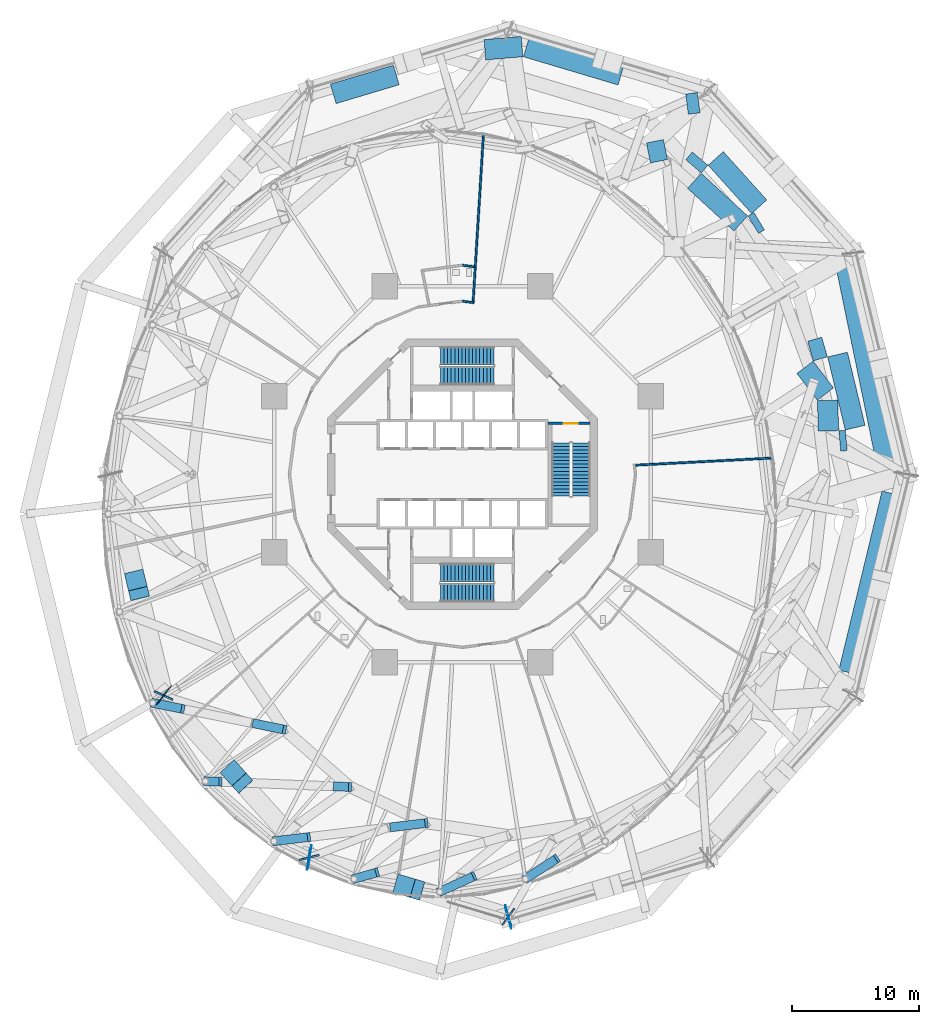
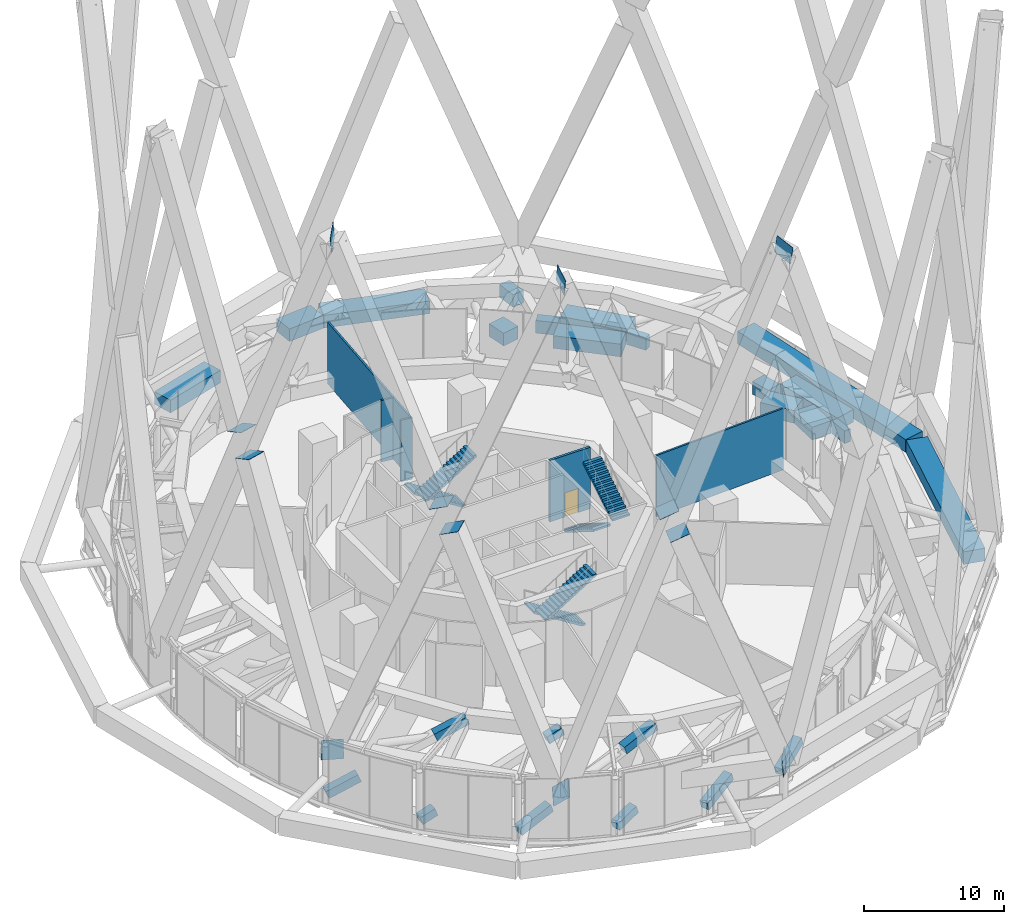
# One storey, part 40 of 49: 22 walls, 21 discrete accessories, 6 stair flights, 1 door, 1 opening, 3 elements without a shape of their own.
"""IFC4 building model written with IfcOpenShell, lengths in metres."""

from ifc_helpers import new_model, si_unit, direction, frame, frame_2d, origin, origin_2d, place, context, subcontext, project, spatial, polyline, rectangle, outline, extrude, material, layer, layer_set, type_object, element, fill, aggregate, save


model = new_model("IFC4")

# Units and contexts
model_context = context("Model", 3, precision=1e-05, world=origin(), true_north=direction((0.0, 1.0)))
body_context = subcontext(model_context, "Body", "Model", "MODEL_VIEW")
ifc_project = project(units=[si_unit("LENGTHUNIT", "METRE"), si_unit("AREAUNIT", "SQUARE_METRE"), si_unit("VOLUMEUNIT", "CUBIC_METRE"), si_unit("PLANEANGLEUNIT", "RADIAN"), si_unit("MASSUNIT", "GRAM", prefix="KILO")], contexts=[model_context])

# Site, building, storey
site_placement = place(None, origin())
site = spatial("IfcSite", under=ifc_project, at=site_placement, CompositionType="ELEMENT")
building_placement = place(site_placement, origin())
building = spatial("IfcBuilding", under=site, at=building_placement, Name="Nagisa Residences", CompositionType="ELEMENT")
storey_placement = place(building_placement, frame((0.0, 0.0, 160.300048828125)))
storey = spatial("IfcBuildingStorey", under=building, at=storey_placement, Name="L40", CompositionType="ELEMENT", Elevation=160.300048828125)

# Walls
ifc_material_1 = material(Name="Precast concrete C30/37", Category="concrete")
ifc_layer_1 = layer(ifc_material_1, 1.60009765625)
ifc_layer_set_1 = layer_set([ifc_layer_1], Name="PLANTER")
wall_type_1 = type_object("IfcWallType", Name="PLANTER", PredefinedType="SOLIDWALL", material=ifc_layer_set_1)
wall_1_placement = place(storey_placement, frame((-10.156494140625, 29.893798828125, 0.0), z_axis=(0.0, 0.0, 1.0), x_axis=(0.958362857048, 0.285553207357, 0.0)))
element("IfcWall", 1, at=wall_1_placement, inside=storey, type_object=wall_type_1, Name="planter:L40:deck001", PredefinedType="SOLIDWALL", context=body_context, shape_type="SweptSolid", body=[
    extrude(rectangle(XDim=5.168212890625, YDim=1.60009765625, at=frame_2d((2.583984375, 0.0))), origin(), (0.0, 0.0, 1.0), 1.099853515625),
])
wall_2_placement = place(storey_placement, frame((1.760498046875, 33.357177734375, 0.0), z_axis=(0.0, 0.0, 1.0), x_axis=(0.996429373532, 0.084430465845, 0.0)))
element("IfcWall", 2, at=wall_2_placement, inside=storey, type_object=wall_type_1, Name="planter:L40:deck003", PredefinedType="SOLIDWALL", context=body_context, shape_type="SweptSolid", body=[
    extrude(rectangle(XDim=2.93212890625, YDim=1.60009765625, at=frame_2d((1.466064453125, 0.0))), origin(), (0.0, 0.0, 1.0), 1.099853515625),
])
wall_3_placement = place(storey_placement, frame((5.01708984375, 33.5703125, 0.0), z_axis=(0.0, 0.0, 1.0), x_axis=(0.958369377586, -0.285531322459, 0.0)))
element("IfcWall", 3, at=wall_3_placement, inside=storey, type_object=wall_type_1, Name="planter:L40:deck004", PredefinedType="SOLIDWALL", context=body_context, shape_type="SweptSolid", body=[
    extrude(rectangle(XDim=7.7578125, YDim=1.60009765625, at=frame_2d((3.87890625, 0.0))), origin(), (0.0, 0.0, 1.0), 1.099853515625),
])
wall_4_placement = place(storey_placement, frame((14.6142578125, 25.25, 0.0), z_axis=(0.0, 0.0, 1.0), x_axis=(0.980807472968, 0.194978719274, 0.0)))
element("IfcWall", 4, at=wall_4_placement, inside=storey, type_object=wall_type_1, Name="planter:L40:deck005", PredefinedType="SOLIDWALL", context=body_context, shape_type="SweptSolid", body=[
    extrude(rectangle(XDim=1.3623046875, YDim=1.60009765625, at=frame_2d((0.68115234375, 0.0))), origin(), (0.0, 0.0, 1.0), 1.099853515625),
])
wall_5_placement = place(storey_placement, frame((17.642822265625, 29.0771484375, 0.0), z_axis=(0.0, 0.0, 1.0), x_axis=(0.991501736252, 0.130093454903, 0.0)))
element("IfcWall", 5, at=wall_5_placement, inside=storey, type_object=wall_type_1, Name="planter:L40:deck006", PredefinedType="SOLIDWALL", context=body_context, shape_type="SweptSolid", body=[
    extrude(rectangle(XDim=0.927001953125, YDim=1.60009765625, at=frame_2d((0.46337890625, 0.0))), origin(), (0.0, 0.0, 1.0), 1.099853515625),
])
wall_6_placement = place(storey_placement, frame((30.10693359375, 16.551513671875, 0.0), z_axis=(0.0, 0.0, 1.0), x_axis=(0.201733864447, -0.979440374875, 0.0)))
element("IfcWall", 6, at=wall_6_placement, inside=storey, type_object=wall_type_1, Name="planter:L40:deck012", PredefinedType="SOLIDWALL", context=body_context, shape_type="SweptSolid", body=[
    extrude(rectangle(XDim=18.041748046875, YDim=1.60009765625, at=frame_2d((9.02099609375, 0.0))), origin(), (0.0, 0.0, 1.0), 1.099853515625),
])
wall_7_placement = place(storey_placement, frame((33.740234375, -1.50732421875, 0.0), z_axis=(0.0, 0.0, 1.0), x_axis=(-0.234271336435, -0.972171250822, 0.0)))
element("IfcWall", 7, at=wall_7_placement, inside=storey, type_object=wall_type_1, Name="planter:L40:deck014", PredefinedType="SOLIDWALL", context=body_context, shape_type="SweptSolid", body=[
    extrude(rectangle(XDim=14.48046875, YDim=1.60009765625, at=frame_2d((7.240234375, 0.0))), origin(), (0.0, 0.0, 1.0), 1.099853515625),
])
wall_8_placement = place(storey_placement, frame((18.15234375, 24.195556640625, 0.0), z_axis=(0.0, 0.0, 1.0), x_axis=(0.649581622908, 0.76029186184, 0.0)))
element("IfcWall", 8, at=wall_8_placement, inside=storey, type_object=wall_type_1, Name="planter:L40:deck115", PredefinedType="SOLIDWALL", context=body_context, shape_type="SweptSolid", body=[
    extrude(rectangle(XDim=0.79833984375, YDim=1.60009765625, at=frame_2d((0.399169921875, 0.0))), origin(), (0.0, 0.0, 1.0), 1.099853515625),
])
wall_9_placement = place(storey_placement, frame((19.900146484375, 24.818115234375, 0.0), z_axis=(0.0, 0.0, 1.0), x_axis=(0.668695366774, -0.743536486297, 0.0)))
element("IfcWall", 9, at=wall_9_placement, inside=storey, type_object=wall_type_1, Name="planter:L40:deck116", PredefinedType="SOLIDWALL", context=body_context, shape_type="SweptSolid", body=[
    extrude(rectangle(XDim=5.1083984375, YDim=1.60009765625, at=frame_2d((2.55419921875, 0.0))), origin(), (0.0, 0.0, 1.0), 1.099853515625),
])
wall_10_placement = place(storey_placement, frame((21.865478515625, 19.70703125, 0.0), z_axis=(0.0, 0.0, 1.0), x_axis=(-0.736097079127, 0.676875978375, 0.0)))
element("IfcWall", 10, at=wall_10_placement, inside=storey, type_object=wall_type_1, Name="planter:L40:deck117", PredefinedType="SOLIDWALL", context=body_context, shape_type="SweptSolid", body=[
    extrude(rectangle(XDim=4.951171875, YDim=1.60009765625, at=frame_2d((2.4755859375, 0.0))), origin(), (0.0, 0.0, 1.0), 1.099853515625),
])
wall_11_placement = place(storey_placement, frame((23.3154296875, 19.88525390625, 0.0), z_axis=(0.0, 0.0, 1.0), x_axis=(-0.857730952834, -0.51409883539, 0.0)))
element("IfcWall", 11, at=wall_11_placement, inside=storey, type_object=wall_type_1, Name="planter:L40:deck118", PredefinedType="SOLIDWALL", context=body_context, shape_type="SweptSolid", body=[
    extrude(rectangle(XDim=0.542724609375, YDim=1.60009765625, at=frame_2d((0.271484375, 0.0))), origin(), (0.0, 0.0, 1.0), 1.099853515625),
])
wall_12_placement = place(storey_placement, frame((27.341796875, 9.6796875, 0.0), z_axis=(0.0, 0.0, 1.0), x_axis=(0.96091364535, 0.27684827285, 0.0)))
element("IfcWall", 12, at=wall_12_placement, inside=storey, type_object=wall_type_1, Name="planter:L40:deck119", PredefinedType="SOLIDWALL", context=body_context, shape_type="SweptSolid", body=[
    extrude(rectangle(XDim=1.151611328125, YDim=1.60009765625, at=frame_2d((0.57568359375, 0.0))), origin(), (0.0, 0.0, 1.0), 1.099853515625),
])
wall_13_placement = place(storey_placement, frame((28.517578125, 6.3017578125, 0.0), z_axis=(0.0, 0.0, 1.0), x_axis=(-0.604970801931, 0.796247655451, 0.0)))
element("IfcWall", 13, at=wall_13_placement, inside=storey, type_object=wall_type_1, Name="planter:L40:deck120", PredefinedType="SOLIDWALL", context=body_context, shape_type="SweptSolid", body=[
    extrude(rectangle(XDim=2.64208984375, YDim=1.60009765625, at=frame_2d((1.321044921875, 0.0))), origin(), (0.0, 0.0, 1.0), 1.099853515625),
])
wall_14_placement = place(storey_placement, frame((28.7529296875, 3.40380859375, 0.0), z_axis=(0.0, 0.0, 1.0), x_axis=(-0.024936246757, 0.999689043452, 0.0)))
element("IfcWall", 14, at=wall_14_placement, inside=storey, type_object=wall_type_1, Name="planter:L40:deck121", PredefinedType="SOLIDWALL", context=body_context, shape_type="SweptSolid", body=[
    extrude(rectangle(XDim=2.398681640625, YDim=1.60009765625, at=frame_2d((1.19921875, 0.0))), origin(), (0.0, 0.0, 1.0), 1.099853515625),
])
wall_15_placement = place(storey_placement, frame((29.4716796875, 9.403564453125, 0.0), z_axis=(0.0, 0.0, 1.0), x_axis=(0.234270152893, -0.972171536028, 0.0)))
element("IfcWall", 15, at=wall_15_placement, inside=storey, type_object=wall_type_1, Name="planter:L40:deck122", PredefinedType="SOLIDWALL", context=body_context, shape_type="SweptSolid", body=[
    extrude(rectangle(XDim=5.90673828125, YDim=1.60009765625, at=frame_2d((2.953369140625, 0.0))), origin(), (0.0, 0.0, 1.0), 1.099853515625),
])
wall_16_placement = place(storey_placement, frame((30.155517578125, 2.65771484375, 0.0), z_axis=(0.0, 0.0, 1.0), x_axis=(-0.995473874791, -0.095035596533, 0.0)))
element("IfcWall", 16, at=wall_16_placement, inside=storey, type_object=wall_type_1, Name="planter:L40:deck123", PredefinedType="SOLIDWALL", context=body_context, shape_type="SweptSolid", body=[
    extrude(rectangle(XDim=0.508544921875, YDim=1.60009765625, at=frame_2d((0.25439453125, 0.0))), origin(), (0.0, 0.0, 1.0), 1.099853515625),
])
ifc_material_2 = material(Name="Gypsum board on steel studs", Category="steel")
ifc_layer_2 = layer(ifc_material_2, 0.14990234375)
ifc_layer_set_2 = layer_set([ifc_layer_2], Name="Room partition EI60 150")
wall_type_2 = type_object("IfcWallType", Name="Room partition EI60 150", PredefinedType="PARTITIONING", material=ifc_layer_set_2)
wall_17_placement = place(storey_placement, frame((0.01171875, 13.598388671875, 0.0), z_axis=(0.0, 0.0, 1.0), x_axis=(0.991462580461, -0.130391531728, 0.0)))
element("IfcWall", 17, at=wall_17_placement, inside=storey, type_object=wall_type_2, Name="wall:L40:am022", PredefinedType="PARTITIONING", context=body_context, shape_type="SweptSolid", body=[
    extrude(rectangle(XDim=0.902587890625, YDim=0.14990234375, at=frame_2d((0.451171875, 0.0))), origin(), (0.0, 0.0, 1.0), 5.33984375),
])
wall_18_placement = place(storey_placement, frame((0.01171875, 16.422607421875, 0.0), z_axis=(0.0, 0.0, 1.0), x_axis=(0.991454295543, -0.130454512571, 0.0)))
element("IfcWall", 18, at=wall_18_placement, inside=storey, type_object=wall_type_2, Name="wall:L40:am023", PredefinedType="PARTITIONING", context=body_context, shape_type="SweptSolid", body=[
    extrude(rectangle(XDim=0.92626953125, YDim=0.14990234375, at=frame_2d((0.463134765625, 0.0))), origin(), (0.0, 0.0, 1.0), 5.33984375),
])
wall_19_placement = place(storey_placement, frame((0.836669921875, 13.5654296875, 0.0), z_axis=(0.0, 0.0, 1.0), x_axis=(0.061577051156, 0.998102332815, 0.0)))
element("IfcWall", 19, at=wall_19_placement, inside=storey, type_object=wall_type_2, Name="wall:L40:am024", PredefinedType="PARTITIONING", context=body_context, shape_type="SweptSolid", body=[
    extrude(rectangle(XDim=2.731689453125, YDim=0.14990234375, at=frame_2d((1.36572265625, 0.0))), origin(), (0.0, 0.0, 1.0), 5.33984375),
])
wall_20_placement = place(storey_placement, frame((1.0048828125, 16.2919921875, 0.0), z_axis=(0.0, 0.0, 1.0), x_axis=(0.061550484882, 0.998103971443, 0.0)))
element("IfcWall", 20, at=wall_20_placement, inside=storey, type_object=wall_type_2, Name="wall:L40:am025", PredefinedType="PARTITIONING", context=body_context, shape_type="SweptSolid", body=[
    extrude(rectangle(XDim=10.44775390625, YDim=0.14990234375, at=frame_2d((5.223876953125, 0.0))), origin(), (0.0, 0.0, 1.0), 5.33984375),
])
wall_21_placement = place(storey_placement, frame((24.32763671875, 1.27490234375, 0.0), z_axis=(0.0, 0.0, 1.0), x_axis=(-0.998630336248, -0.052320660594, 0.0)))
element("IfcWall", 21, at=wall_21_placement, inside=storey, type_object=wall_type_2, Name="wall:L40:am042", PredefinedType="PARTITIONING", context=body_context, shape_type="SweptSolid", body=[
    extrude(rectangle(XDim=10.76025390625, YDim=0.14990234375, at=frame_2d((5.380126953125, 0.0))), origin(), (0.0, 0.0, 1.0), 5.33984375),
])

# Wall, opening, door
ifc_material_3 = material(Name="Concrete C60", Category="concrete")
ifc_layer_3 = layer(ifc_material_3, 0.199951171875)
ifc_layer_set_3 = layer_set([ifc_layer_3], Name="Stair enclosure wall 200")
wall_type_3 = type_object("IfcWallType", Name="Stair enclosure wall 200", PredefinedType="SOLIDWALL", material=ifc_layer_set_3)
wall_22_placement = place(storey_placement, frame((6.699951171875, 4.0, 0.0), z_axis=(0.0, 0.0, 1.0), x_axis=(1.0, 0.0, 0.0)))
wall_22 = element("IfcWall", 22, at=wall_22_placement, inside=storey, type_object=wall_type_3, Name="wall:L40:SE_n", PredefinedType="SOLIDWALL", context=body_context, shape_type="SweptSolid", body=[
    extrude(rectangle(XDim=3.32470703125, YDim=0.199951171875, at=frame_2d((1.662353515625, 0.0))), origin(), (0.0, 0.0, 1.0), 5.33984375),
])
opening_placement = place(wall_22_placement, frame((1.25, 0.0, 0.0)))
opening = element("IfcOpeningElement", 23, at=opening_placement, cuts=wall_22, Name="Opening L40-C13", PredefinedType="OPENING", context=body_context, shape_type="SweptSolid", body=[
    extrude(rectangle(XDim=1.10009765625, YDim=2.10009765625, at=frame_2d((0.550048828125, 1.050048828125))), frame((0.0, 0.10986328125, 0.0), z_axis=(0.0, -1.0, 0.0), x_axis=(1.0, 0.0, 0.0)), (0.0, 0.0, 1.0), 0.219970703125),
])
ifc_material_4 = material(Name="Steel fire door", Category="steel")
door_type = type_object("IfcDoorType", Name="Fire door EI90 1100x2100 single swing", OperationType="NOTDEFINED", PredefinedType="DOOR", material=ifc_material_4)
door_placement = place(opening_placement, frame((1.10009765625, 0.0, 0.0), x_axis=(-1.0, 0.0, 0.0)))
door = element("IfcDoor", 24, at=door_placement, inside=storey, type_object=door_type, Name="Stair door ST-E L40", OperationType="SINGLE_SWING_LEFT", OverallHeight=2.10009765625, OverallWidth=1.10009765625, PredefinedType="DOOR", context=body_context, shape_type="SweptSolid", body=[
    extrude(rectangle(XDim=1.10009765625, YDim=2.10009765625, at=frame_2d((0.550048828125, 1.050048828125))), frame((0.0, 0.02490234375, 0.0), z_axis=(0.0, -1.0, 0.0), x_axis=(1.0, 0.0, 0.0)), (0.0, 0.0, 1.0), 0.050048828125),
])
fill(opening, door)

# Stair, stair flights
ifc_material_5 = material(Name="Concrete C60", Category="concrete")
stair_type = type_object("IfcStairType", Name="Exit stair", PredefinedType="HALF_TURN_STAIR", material=ifc_material_5)
stair_1_placement = place(storey_placement, origin())
stair_1 = element("IfcStair", 25, at=stair_1_placement, inside=storey, type_object=stair_type, Name="L40 Exit stair E", PredefinedType="HALF_TURN_STAIR")
ifc_material_6 = material(Name="Concrete C60", Category="concrete")
stair_flight_type = type_object("IfcStairFlightType", Name="Exit stair flight", PredefinedType="STRAIGHT", material=ifc_material_6)
stair_flight_1_placement = place(storey_placement, frame((7.737060546875, 2.47509765625, 0.0), z_axis=(0.0, 0.0, 1.0), x_axis=(0.0, -1.0, 0.0)))
stair_flight_1 = element("IfcStairFlight", 26, at=stair_flight_1_placement, type_object=stair_flight_type, Name="ST-E flight 1", NumberOfRisers=16, NumberOfTreads=15, PredefinedType="STRAIGHT", RiserHeight=0.175, TreadLength=0.28, context=body_context, shape_type="SweptSolid", body=[
    extrude(outline(polyline([(0.0, 0.0), (0.0, 0.175048828125), (0.280029296875, 0.175048828125), (0.280029296875, 0.35009765625), (0.56005859375, 0.35009765625), (0.56005859375, 0.52490234375), (0.840087890625, 0.52490234375), (0.840087890625, 0.699951171875), (1.1201171875, 0.699951171875), (1.1201171875, 0.875), (1.39990234375, 0.875), (1.39990234375, 1.050048828125), (1.679931640625, 1.050048828125), (1.679931640625, 1.22509765625), (1.9599609375, 1.22509765625), (1.9599609375, 1.39990234375), (2.239990234375, 1.39990234375), (2.239990234375, 1.574951171875), (2.52001953125, 1.574951171875), (2.52001953125, 1.75), (2.800048828125, 1.75), (2.800048828125, 1.925048828125), (3.080078125, 1.925048828125), (3.080078125, 2.10009765625), (3.360107421875, 2.10009765625), (3.360107421875, 2.27490234375), (3.639892578125, 2.27490234375), (3.639892578125, 2.449951171875), (3.919921875, 2.449951171875), (3.919921875, 2.625), (4.199951171875, 2.625), (4.199951171875, 2.800048828125), (4.199951171875, 2.4482421875), (0.28271484375, 0.0), (0.0, 0.0)])), frame((0.0, 0.71240234375, 0.0), z_axis=(0.0, -1.0, 0.0), x_axis=(1.0, 0.0, 0.0)), (0.0, 0.0, 1.0), 1.425048828125),
])
stair_flight_2_placement = place(storey_placement, frame((9.31201171875, -1.72509765625, 2.800048828125), z_axis=(0.0, 0.0, 1.0), x_axis=(0.0, 1.0, 0.0)))
stair_flight_2 = element("IfcStairFlight", 27, at=stair_flight_2_placement, type_object=stair_flight_type, Name="ST-E flight 2", NumberOfRisers=16, NumberOfTreads=15, PredefinedType="STRAIGHT", RiserHeight=0.175, TreadLength=0.28, context=body_context, shape_type="SweptSolid", body=[
    extrude(outline(polyline([(0.0, 0.0), (0.0, 0.175048828125), (0.280029296875, 0.175048828125), (0.280029296875, 0.35009765625), (0.56005859375, 0.35009765625), (0.56005859375, 0.52490234375), (0.840087890625, 0.52490234375), (0.840087890625, 0.699951171875), (1.1201171875, 0.699951171875), (1.1201171875, 0.875), (1.39990234375, 0.875), (1.39990234375, 1.050048828125), (1.679931640625, 1.050048828125), (1.679931640625, 1.22509765625), (1.9599609375, 1.22509765625), (1.9599609375, 1.39990234375), (2.239990234375, 1.39990234375), (2.239990234375, 1.574951171875), (2.52001953125, 1.574951171875), (2.52001953125, 1.75), (2.800048828125, 1.75), (2.800048828125, 1.925048828125), (3.080078125, 1.925048828125), (3.080078125, 2.10009765625), (3.360107421875, 2.10009765625), (3.360107421875, 2.27490234375), (3.639892578125, 2.27490234375), (3.639892578125, 2.449951171875), (3.919921875, 2.449951171875), (3.919921875, 2.625), (4.199951171875, 2.625), (4.199951171875, 2.800048828125), (4.199951171875, 2.4482421875), (0.28271484375, 0.0), (0.0, 0.0)])), frame((0.0, 0.71240234375, 0.0), z_axis=(0.0, -1.0, 0.0), x_axis=(1.0, 0.0, 0.0)), (0.0, 0.0, 1.0), 1.425048828125),
])
aggregate(stair_1, [stair_flight_1, stair_flight_2])

stair_2_placement = place(storey_placement, origin())
stair_2 = element("IfcStair", 28, at=stair_2_placement, inside=storey, type_object=stair_type, Name="L40 Exit stair N", PredefinedType="HALF_TURN_STAIR")
stair_flight_3_placement = place(storey_placement, frame((2.47509765625, 9.31201171875, 0.0), z_axis=(0.0, 0.0, 1.0), x_axis=(-1.0, 0.0, 0.0)))
stair_flight_3 = element("IfcStairFlight", 29, at=stair_flight_3_placement, type_object=stair_flight_type, Name="ST-N flight 1", NumberOfRisers=16, NumberOfTreads=15, PredefinedType="STRAIGHT", RiserHeight=0.175, TreadLength=0.28, context=body_context, shape_type="SweptSolid", body=[
    extrude(outline(polyline([(0.0, 0.0), (0.0, 0.175048828125), (0.280029296875, 0.175048828125), (0.280029296875, 0.35009765625), (0.56005859375, 0.35009765625), (0.56005859375, 0.52490234375), (0.840087890625, 0.52490234375), (0.840087890625, 0.699951171875), (1.1201171875, 0.699951171875), (1.1201171875, 0.875), (1.39990234375, 0.875), (1.39990234375, 1.050048828125), (1.679931640625, 1.050048828125), (1.679931640625, 1.22509765625), (1.9599609375, 1.22509765625), (1.9599609375, 1.39990234375), (2.239990234375, 1.39990234375), (2.239990234375, 1.574951171875), (2.52001953125, 1.574951171875), (2.52001953125, 1.75), (2.800048828125, 1.75), (2.800048828125, 1.925048828125), (3.080078125, 1.925048828125), (3.080078125, 2.10009765625), (3.360107421875, 2.10009765625), (3.360107421875, 2.27490234375), (3.639892578125, 2.27490234375), (3.639892578125, 2.449951171875), (3.919921875, 2.449951171875), (3.919921875, 2.625), (4.199951171875, 2.625), (4.199951171875, 2.800048828125), (4.199951171875, 2.4482421875), (0.28271484375, 0.0), (0.0, 0.0)])), frame((0.0, 0.71240234375, 0.0), z_axis=(0.0, -1.0, 0.0), x_axis=(1.0, 0.0, 0.0)), (0.0, 0.0, 1.0), 1.425048828125),
])
stair_flight_4_placement = place(storey_placement, frame((-1.72509765625, 7.737060546875, 2.800048828125), z_axis=(0.0, 0.0, 1.0), x_axis=(1.0, 0.0, 0.0)))
stair_flight_4 = element("IfcStairFlight", 30, at=stair_flight_4_placement, type_object=stair_flight_type, Name="ST-N flight 2", NumberOfRisers=16, NumberOfTreads=15, PredefinedType="STRAIGHT", RiserHeight=0.175, TreadLength=0.28, context=body_context, shape_type="SweptSolid", body=[
    extrude(outline(polyline([(0.0, 0.0), (0.0, 0.175048828125), (0.280029296875, 0.175048828125), (0.280029296875, 0.35009765625), (0.56005859375, 0.35009765625), (0.56005859375, 0.52490234375), (0.840087890625, 0.52490234375), (0.840087890625, 0.699951171875), (1.1201171875, 0.699951171875), (1.1201171875, 0.875), (1.39990234375, 0.875), (1.39990234375, 1.050048828125), (1.679931640625, 1.050048828125), (1.679931640625, 1.22509765625), (1.9599609375, 1.22509765625), (1.9599609375, 1.39990234375), (2.239990234375, 1.39990234375), (2.239990234375, 1.574951171875), (2.52001953125, 1.574951171875), (2.52001953125, 1.75), (2.800048828125, 1.75), (2.800048828125, 1.925048828125), (3.080078125, 1.925048828125), (3.080078125, 2.10009765625), (3.360107421875, 2.10009765625), (3.360107421875, 2.27490234375), (3.639892578125, 2.27490234375), (3.639892578125, 2.449951171875), (3.919921875, 2.449951171875), (3.919921875, 2.625), (4.199951171875, 2.625), (4.199951171875, 2.800048828125), (4.199951171875, 2.4482421875), (0.28271484375, 0.0), (0.0, 0.0)])), frame((0.0, 0.71240234375, 0.0), z_axis=(0.0, -1.0, 0.0), x_axis=(1.0, 0.0, 0.0)), (0.0, 0.0, 1.0), 1.425048828125),
])
aggregate(stair_2, [stair_flight_3, stair_flight_4])

stair_3_placement = place(storey_placement, origin())
stair_3 = element("IfcStair", 31, at=stair_3_placement, inside=storey, type_object=stair_type, Name="L40 Exit stair S", PredefinedType="HALF_TURN_STAIR")
stair_flight_5_placement = place(storey_placement, frame((2.47509765625, -7.737060546875, 0.0), z_axis=(0.0, 0.0, 1.0), x_axis=(-1.0, 0.0, 0.0)))
stair_flight_5 = element("IfcStairFlight", 32, at=stair_flight_5_placement, type_object=stair_flight_type, Name="ST-S flight 1", NumberOfRisers=16, NumberOfTreads=15, PredefinedType="STRAIGHT", RiserHeight=0.175, TreadLength=0.28, context=body_context, shape_type="SweptSolid", body=[
    extrude(outline(polyline([(0.0, 0.0), (0.0, 0.175048828125), (0.280029296875, 0.175048828125), (0.280029296875, 0.35009765625), (0.56005859375, 0.35009765625), (0.56005859375, 0.52490234375), (0.840087890625, 0.52490234375), (0.840087890625, 0.699951171875), (1.1201171875, 0.699951171875), (1.1201171875, 0.875), (1.39990234375, 0.875), (1.39990234375, 1.050048828125), (1.679931640625, 1.050048828125), (1.679931640625, 1.22509765625), (1.9599609375, 1.22509765625), (1.9599609375, 1.39990234375), (2.239990234375, 1.39990234375), (2.239990234375, 1.574951171875), (2.52001953125, 1.574951171875), (2.52001953125, 1.75), (2.800048828125, 1.75), (2.800048828125, 1.925048828125), (3.080078125, 1.925048828125), (3.080078125, 2.10009765625), (3.360107421875, 2.10009765625), (3.360107421875, 2.27490234375), (3.639892578125, 2.27490234375), (3.639892578125, 2.449951171875), (3.919921875, 2.449951171875), (3.919921875, 2.625), (4.199951171875, 2.625), (4.199951171875, 2.800048828125), (4.199951171875, 2.4482421875), (0.28271484375, 0.0), (0.0, 0.0)])), frame((0.0, 0.71240234375, 0.0), z_axis=(0.0, -1.0, 0.0), x_axis=(1.0, 0.0, 0.0)), (0.0, 0.0, 1.0), 1.425048828125),
])
stair_flight_6_placement = place(storey_placement, frame((-1.72509765625, -9.31201171875, 2.800048828125), z_axis=(0.0, 0.0, 1.0), x_axis=(1.0, 0.0, 0.0)))
stair_flight_6 = element("IfcStairFlight", 33, at=stair_flight_6_placement, type_object=stair_flight_type, Name="ST-S flight 2", NumberOfRisers=16, NumberOfTreads=15, PredefinedType="STRAIGHT", RiserHeight=0.175, TreadLength=0.28, context=body_context, shape_type="SweptSolid", body=[
    extrude(outline(polyline([(0.0, 0.0), (0.0, 0.175048828125), (0.280029296875, 0.175048828125), (0.280029296875, 0.35009765625), (0.56005859375, 0.35009765625), (0.56005859375, 0.52490234375), (0.840087890625, 0.52490234375), (0.840087890625, 0.699951171875), (1.1201171875, 0.699951171875), (1.1201171875, 0.875), (1.39990234375, 0.875), (1.39990234375, 1.050048828125), (1.679931640625, 1.050048828125), (1.679931640625, 1.22509765625), (1.9599609375, 1.22509765625), (1.9599609375, 1.39990234375), (2.239990234375, 1.39990234375), (2.239990234375, 1.574951171875), (2.52001953125, 1.574951171875), (2.52001953125, 1.75), (2.800048828125, 1.75), (2.800048828125, 1.925048828125), (3.080078125, 1.925048828125), (3.080078125, 2.10009765625), (3.360107421875, 2.10009765625), (3.360107421875, 2.27490234375), (3.639892578125, 2.27490234375), (3.639892578125, 2.449951171875), (3.919921875, 2.449951171875), (3.919921875, 2.625), (4.199951171875, 2.625), (4.199951171875, 2.800048828125), (4.199951171875, 2.4482421875), (0.28271484375, 0.0), (0.0, 0.0)])), frame((0.0, 0.71240234375, 0.0), z_axis=(0.0, -1.0, 0.0), x_axis=(1.0, 0.0, 0.0)), (0.0, 0.0, 1.0), 1.425048828125),
])
aggregate(stair_3, [stair_flight_5, stair_flight_6])

# Discrete accessories
ifc_material_7 = material(Name="Steel ASTM A572 Gr 50", Category="steel")
discrete_accessory_type_1 = type_object("IfcDiscreteAccessoryType", Name="Belt node casting BX 700x700x40", PredefinedType="BRACKET", material=ifc_material_7)
for number, where, z_axis, x_axis, name in (
    (34, (-24.346923828125, -17.965087890625, 0.599853515625), (0.912524566344, -0.184942061571, 0.364822353591), (0.198632371683, 0.980074069099, 0.0), "Belt node 3E15"),
    (35, (-16.365966796875, -19.58251953125, 3.7900390625), (0.912555769685, -0.184948385577, 0.364741088839), (0.198632371683, 0.980074069099, 0.0), "Belt node 3E15"),
):
    element("IfcDiscreteAccessory", number, at=place(storey_placement, frame(where, z_axis=z_axis, x_axis=x_axis)), inside=storey, type_object=discrete_accessory_type_1, Name=name, PredefinedType="BRACKET", context=body_context, shape_type="SweptSolid", body=[
        extrude(rectangle(XDim=0.699951171875, YDim=0.699951171875, at=origin_2d()), origin(), (0.0, 0.0, 1.0), 2.6044921875),
    ])
discrete_accessory_1_placement = place(storey_placement, frame((-20.20947265625, -24.115234375, 0.599853515625), z_axis=(0.938976151456, -0.037796955831, 0.341899366958), x_axis=(0.040220799102, 0.999190816271, 0.0)))
element("IfcDiscreteAccessory", 36, at=discrete_accessory_1_placement, inside=storey, type_object=discrete_accessory_type_1, Name="Belt node 3E16", PredefinedType="BRACKET", context=body_context, shape_type="SweptSolid", body=[
    extrude(rectangle(XDim=0.699951171875, YDim=0.699951171875, at=origin_2d()), origin(), (0.0, 0.0, 1.0), 1.2724609375),
])
discrete_accessory_2_placement = place(storey_placement, frame((-10.032470703125, -24.525390625, 4.304931640625), z_axis=(0.938998847246, -0.037790147683, 0.341837782593), x_axis=(0.040212595679, 0.999191146452, 0.0)))
element("IfcDiscreteAccessory", 37, at=discrete_accessory_2_placement, inside=storey, type_object=discrete_accessory_type_1, Name="Belt node 3E16", PredefinedType="BRACKET", context=body_context, shape_type="SweptSolid", body=[
    extrude(rectangle(XDim=0.699951171875, YDim=0.699951171875, at=origin_2d()), origin(), (0.0, 0.0, 1.0), 1.272705078125),
])
for number, where, z_axis, x_axis, name in (
    (38, (-14.8173828125, -28.834228515625, 0.599853515625), (0.939201603069, 0.111779922561, 0.324662282542), (-0.118181831538, 0.992991971113, 0.0), "Belt node 3E17"),
    (39, (-5.5869140625, -27.7353515625, 3.7900390625), (0.939227036884, 0.111782949589, 0.324587654367), (-0.118181831538, 0.992991971113, 0.0), "Belt node 3E17"),
):
    element("IfcDiscreteAccessory", number, at=place(storey_placement, frame(where, z_axis=z_axis, x_axis=x_axis)), inside=storey, type_object=discrete_accessory_type_1, Name=name, PredefinedType="BRACKET", context=body_context, shape_type="SweptSolid", body=[
        extrude(rectangle(XDim=0.699951171875, YDim=0.699951171875, at=origin_2d()), origin(), (0.0, 0.0, 1.0), 2.9267578125),
    ])
discrete_accessory_3_placement = place(storey_placement, frame((-8.538330078125, -31.80078125, 0.599853515625), z_axis=(0.914417385926, 0.258025049746, 0.311871637087), x_axis=(-0.271569798323, 0.962418747032, 0.0)))
element("IfcDiscreteAccessory", 40, at=discrete_accessory_3_placement, inside=storey, type_object=discrete_accessory_type_1, Name="Belt node 3E18", PredefinedType="BRACKET", context=body_context, shape_type="SweptSolid", body=[
    extrude(rectangle(XDim=0.699951171875, YDim=0.699951171875, at=origin_2d()), origin(), (0.0, 0.0, 1.0), 2.004150390625),
])
discrete_accessory_4_placement = place(storey_placement, frame((-1.800048828125, -32.812744140625, 0.599853515625), z_axis=(0.866855422627, 0.395760361908, 0.303208529241), x_axis=(-0.41531146918, 0.909679275112, 0.0)))
element("IfcDiscreteAccessory", 41, at=discrete_accessory_4_placement, inside=storey, type_object=discrete_accessory_type_1, Name="Belt node 3E19", PredefinedType="BRACKET", context=body_context, shape_type="SweptSolid", body=[
    extrude(rectangle(XDim=0.699951171875, YDim=0.699951171875, at=origin_2d()), origin(), (0.0, 0.0, 1.0), 3.1337890625),
])
discrete_accessory_5_placement = place(storey_placement, frame((4.938232421875, -31.80078125, 0.599853515625), z_axis=(0.799851245247, 0.520793082897, 0.298349711384), x_axis=(-0.545643530625, 0.838017384955, 0.0)))
element("IfcDiscreteAccessory", 42, at=discrete_accessory_5_placement, inside=storey, type_object=discrete_accessory_type_1, Name="Belt node 3E20", PredefinedType="BRACKET", context=body_context, shape_type="SweptSolid", body=[
    extrude(rectangle(XDim=0.699951171875, YDim=0.699951171875, at=origin_2d()), origin(), (0.0, 0.0, 1.0), 3.1005859375),
])
ifc_material_8 = material(Name="Steel ASTM A572 Gr 50", Category="steel")
ifc_layer_4 = layer(ifc_material_8, 0.030029296875)
ifc_layer_set_4 = layer_set([ifc_layer_4], Name="Node plate")
discrete_accessory_type_2 = type_object("IfcDiscreteAccessoryType", Name="Node plate", PredefinedType="ANCHORPLATE", material=ifc_layer_set_4)
for number, where, z_axis, x_axis, name in (
    (43, (-23.478759765625, -17.373779296875, 3.69873046875), (-0.413053647655, -0.907098206615, 0.080990911305), (0.910393080409, -0.413609025605, 0.010583623306), "Node plate ST4B08"),
    (44, (-12.041259765625, -30.1015625, 3.69873046875), (0.243644903215, -0.966458116088, 0.081214967738), (0.969430926324, 0.245184259065, 0.009399903896), "Node plate ST4B09"),
    (45, (3.612060546875, -34.78369140625, 3.700927734375), (-0.80701456604, 0.586919684393, -0.065213298266), (0.58778277427, 0.808987826597, 0.00707860778), "Node plate ST4B10"),
    (46, (-23.496826171875, -17.378173828125, 48.199462890625), (0.786748013041, -0.61642112362, 0.032443217033), (0.17588897292, 0.173489781954, -0.969001736202), "Node plate CD4013"),
):
    element("IfcDiscreteAccessory", number, at=place(storey_placement, frame(where, z_axis=z_axis, x_axis=x_axis)), inside=storey, type_object=discrete_accessory_type_2, Name=name, PredefinedType="ANCHORPLATE", context=body_context, shape_type="SweptSolid", body=[
        extrude(rectangle(XDim=1.6201171875, YDim=1.6201171875, at=origin_2d()), origin(), (0.0, 0.0, 1.0), 0.030029296875),
    ])
for number, where, z_axis, x_axis, name in (
    (47, (-25.487060546875, -9.079345703125, 24.962890625), (-0.089656370648, 0.358625482591, 0.929166023076), (-0.970142500145, -0.242535625036, 0.0), "Node plate CD4014A"),
    (48, (-25.6728515625, -8.30810546875, 26.93701171875), (0.089392496103, -0.365696574967, -0.92643132325), (0.971399006497, 0.237453090477, 0.0), "Node plate CD4014B"),
):
    element("IfcDiscreteAccessory", number, at=place(storey_placement, frame(where, z_axis=z_axis, x_axis=x_axis)), inside=storey, type_object=discrete_accessory_type_2, Name=name, PredefinedType="ANCHORPLATE", context=body_context, shape_type="SweptSolid", body=[
        extrude(rectangle(XDim=1.5, YDim=1.5, at=origin_2d()), origin(), (0.0, 0.0, 1.0), 0.030029296875),
    ])
discrete_accessory_6_placement = place(storey_placement, frame((-12.05224609375, -30.11376953125, 48.199462890625), z_axis=(0.987368619371, -0.155041353455, 0.032640284938), x_axis=(0.068301751184, 0.230628692686, -0.970641683061)))
element("IfcDiscreteAccessory", 49, at=discrete_accessory_6_placement, inside=storey, type_object=discrete_accessory_type_2, Name="Node plate CD4015", PredefinedType="ANCHORPLATE", context=body_context, shape_type="SweptSolid", body=[
    extrude(rectangle(XDim=1.6201171875, YDim=1.6201171875, at=origin_2d()), origin(), (0.0, 0.0, 1.0), 0.030029296875),
])
for number, where, z_axis, x_axis, name in (
    (50, (-17.497314453125, -24.045166015625, 24.924072265625), (-0.243220148197, 0.267542163017, 0.932343901422), (-0.739940073396, -0.672672793996, 0.0), "Node plate CD4016A"),
    (51, (-18.025146484375, -23.458251953125, 26.975830078125), (0.243220148197, -0.267542163017, -0.932343901422), (0.739940073396, 0.672672793996, 0.0), "Node plate CD4016B"),
):
    element("IfcDiscreteAccessory", number, at=place(storey_placement, frame(where, z_axis=z_axis, x_axis=x_axis)), inside=storey, type_object=discrete_accessory_type_2, Name=name, PredefinedType="ANCHORPLATE", context=body_context, shape_type="SweptSolid", body=[
        extrude(rectangle(XDim=1.5, YDim=1.5, at=origin_2d()), origin(), (0.0, 0.0, 1.0), 0.030029296875),
    ])
discrete_accessory_7_placement = place(storey_placement, frame((3.58544921875, -34.779052734375, 48.199462890625), z_axis=(0.963128717516, 0.267086114941, 0.032374074538), x_axis=(-0.020914503072, 0.194294157042, -0.980720329197)))
element("IfcDiscreteAccessory", 52, at=discrete_accessory_7_placement, inside=storey, type_object=discrete_accessory_type_2, Name="Node plate CD4017", PredefinedType="ANCHORPLATE", context=body_context, shape_type="SweptSolid", body=[
    extrude(rectangle(XDim=1.6201171875, YDim=1.6201171875, at=origin_2d()), origin(), (0.0, 0.0, 1.0), 0.0302734375),
])
for number, where, z_axis, x_axis, name in (
    (53, (-3.842529296875, -32.5576171875, 24.87939453125), (-0.334207049835, 0.097816697513, 0.93741001783), (-0.280898753271, -0.959737407008, 0.0), "Node plate CD4018A"),
    (54, (-4.594970703125, -32.33349609375, 27.0205078125), (0.334207049835, -0.097816697513, -0.93741001783), (0.280898753271, 0.959737407008, 0.0), "Node plate CD4018B"),
):
    element("IfcDiscreteAccessory", number, at=place(storey_placement, frame(where, z_axis=z_axis, x_axis=x_axis)), inside=storey, type_object=discrete_accessory_type_2, Name=name, PredefinedType="ANCHORPLATE", context=body_context, shape_type="SweptSolid", body=[
        extrude(rectangle(XDim=1.5, YDim=1.5, at=origin_2d()), origin(), (0.0, 0.0, 1.0), 0.030029296875),
    ])

save(model, "model.ifc")
